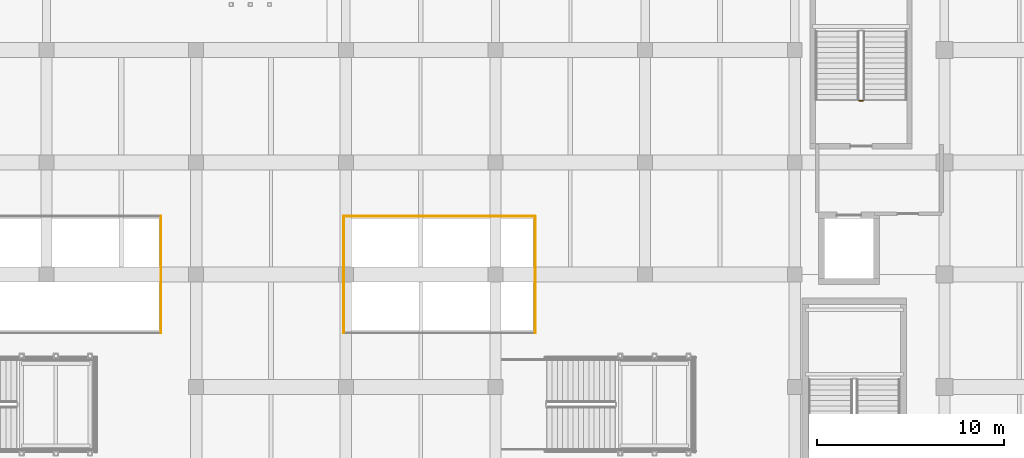
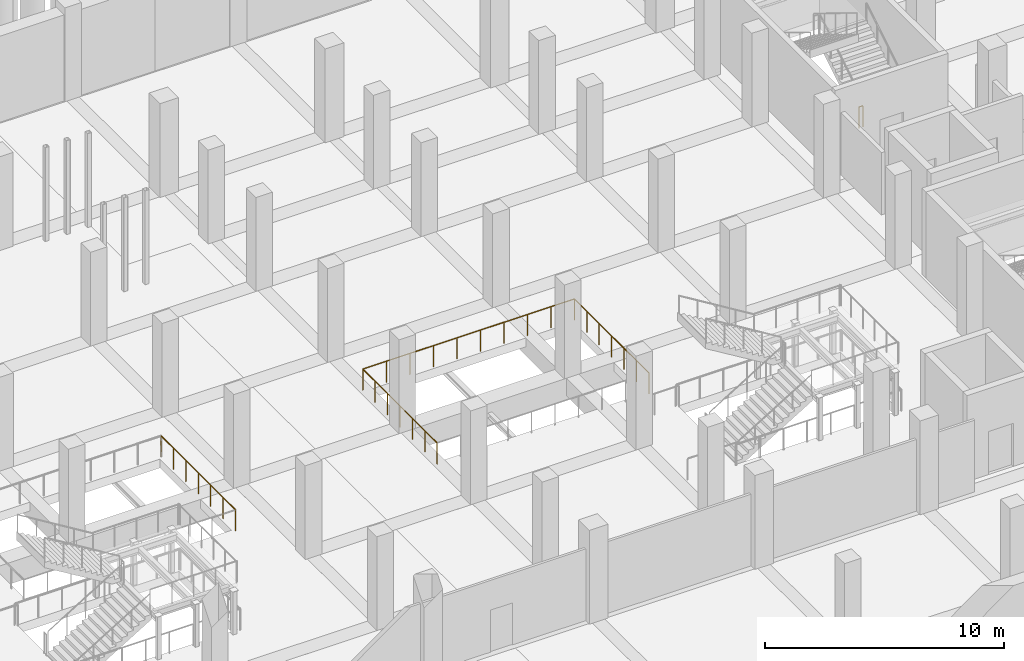
# One storey, part 33 of 36: 5 railings.
"""IFC4 building model written with IfcOpenShell, lengths in metres."""

from ifc_helpers import new_model, si_unit, direction, frame, origin, origin_2d, place, context, subcontext, project, spatial, circle, extrude, material, type_object, element, save


model = new_model("IFC4")

# Units and contexts
model_context = context("Model", 3, precision=1e-05, world=origin(), true_north=direction((0.0, 1.0)))
body_context = subcontext(model_context, "Body", "Model", "MODEL_VIEW")
ifc_project = project(units=[si_unit("LENGTHUNIT", "METRE"), si_unit("AREAUNIT", "SQUARE_METRE"), si_unit("VOLUMEUNIT", "CUBIC_METRE"), si_unit("PLANEANGLEUNIT", "RADIAN"), si_unit("MASSUNIT", "GRAM", prefix="KILO")], contexts=[model_context])

# Site, building, storey
site_placement = place(None, origin())
site = spatial("IfcSite", under=ifc_project, at=site_placement, CompositionType="ELEMENT")
building_placement = place(site_placement, origin())
building = spatial("IfcBuilding", under=site, at=building_placement, Name="Verrall Gate Interchange", CompositionType="ELEMENT")
storey_placement = place(building_placement, frame((0.0, 0.0, -4.800048828125)))
storey = spatial("IfcBuildingStorey", under=building, at=storey_placement, Name="B1", CompositionType="ELEMENT", Elevation=-4.800048828125)

# Railings
ifc_material = material(Name="Brushed Stainless-Steel Guardrail and Handrail System", Category="steel")
railing_type = type_object("IfcRailingType", Name="GR-02 Interior Atrium and Stair Guardrail 1100", PredefinedType="GUARDRAIL", material=ifc_material)
railing_1_placement = place(storey_placement, frame((103.64990234375, 37.300048828125, 0.0)))
element("IfcRailing", 1, at=railing_1_placement, inside=storey, type_object=railing_type, Name="B1 ST-07 stair guard 4", PredefinedType="GUARDRAIL", context=body_context, shape_type="SweptSolid", body=[
    extrude(circle(Radius=0.02392578125, at=origin_2d()), frame((0.0, 0.0, 1.076171875), z_axis=(-1.0, 0.0, 0.0), x_axis=(0.0, -1.0, 0.0)), (0.0, 0.0, 1.0), 0.199951171875),
    extrude(circle(Radius=0.02099609375, at=origin_2d()), origin(), (0.0, 0.0, 1.0), 1.052001953125),
    extrude(circle(Radius=0.02099609375, at=origin_2d()), frame((-0.199951171875, 0.0, 0.0)), (0.0, 0.0, 1.0), 1.052001953125),
])
for number, where, name in (
    (2, (66.1201171875, 24.8798828125, 0.0), "B1 ESC-W Perimeter Guardrail 18"),
    (3, (86.1201171875, 24.8798828125, 0.0), "B1 ESC-E Perimeter Guardrail 22"),
):
    element("IfcRailing", number, at=place(storey_placement, frame(where)), inside=storey, type_object=railing_type, Name=name, PredefinedType="GUARDRAIL", context=body_context, shape_type="SweptSolid", body=[
        extrude(circle(Radius=0.02392578125, at=origin_2d()), frame((0.0, 0.0, 1.076171875), z_axis=(0.0, 1.0, 0.0), x_axis=(-1.0, 0.0, 0.0)), (0.0, 0.0, 1.0), 6.240234375),
        extrude(circle(Radius=0.02099609375, at=origin_2d()), origin(), (0.0, 0.0, 1.0), 1.052001953125),
        extrude(circle(Radius=0.02099609375, at=origin_2d()), frame((0.0, 1.0400390625, 0.0)), (0.0, 0.0, 1.0), 1.052001953125),
        extrude(circle(Radius=0.02099609375, at=origin_2d()), frame((0.0, 2.080078125, 0.0)), (0.0, 0.0, 1.0), 1.052001953125),
        extrude(circle(Radius=0.02099609375, at=origin_2d()), frame((0.0, 3.1201171875, 0.0)), (0.0, 0.0, 1.0), 1.052001953125),
        extrude(circle(Radius=0.02099609375, at=origin_2d()), frame((0.0, 4.16015625, 0.0)), (0.0, 0.0, 1.0), 1.052001953125),
        extrude(circle(Radius=0.02099609375, at=origin_2d()), frame((0.0, 5.2001953125, 0.0)), (0.0, 0.0, 1.0), 1.052001953125),
        extrude(circle(Radius=0.02099609375, at=origin_2d()), frame((0.0, 6.240234375, 0.0)), (0.0, 0.0, 1.0), 1.052001953125),
    ])
railing_2_placement = place(storey_placement, frame((86.1201171875, 31.1201171875, 0.0)))
element("IfcRailing", 4, at=railing_2_placement, inside=storey, type_object=railing_type, Name="B1 ESC-E Perimeter Guardrail 23", PredefinedType="GUARDRAIL", context=body_context, shape_type="SweptSolid", body=[
    extrude(circle(Radius=0.02392578125, at=origin_2d()), frame((0.0, 0.0, 1.076171875), z_axis=(-1.0, 0.0, 0.0), x_axis=(0.0, -1.0, 0.0)), (0.0, 0.0, 1.0), 10.240234375),
    extrude(circle(Radius=0.02099609375, at=origin_2d()), origin(), (0.0, 0.0, 1.0), 1.052001953125),
    extrude(circle(Radius=0.02099609375, at=origin_2d()), frame((-1.1376953125, 0.0, 0.0)), (0.0, 0.0, 1.0), 1.052001953125),
    extrude(circle(Radius=0.02099609375, at=origin_2d()), frame((-2.275634765625, 0.0, 0.0)), (0.0, 0.0, 1.0), 1.052001953125),
    extrude(circle(Radius=0.02099609375, at=origin_2d()), frame((-3.413330078125, 0.0, 0.0)), (0.0, 0.0, 1.0), 1.052001953125),
    extrude(circle(Radius=0.02099609375, at=origin_2d()), frame((-4.55126953125, 0.0, 0.0)), (0.0, 0.0, 1.0), 1.052001953125),
    extrude(circle(Radius=0.02099609375, at=origin_2d()), frame((-5.68896484375, 0.0, 0.0)), (0.0, 0.0, 1.0), 1.052001953125),
    extrude(circle(Radius=0.02099609375, at=origin_2d()), frame((-6.826904296875, 0.0, 0.0)), (0.0, 0.0, 1.0), 1.052001953125),
    extrude(circle(Radius=0.02099609375, at=origin_2d()), frame((-7.964599609375, 0.0, 0.0)), (0.0, 0.0, 1.0), 1.052001953125),
    extrude(circle(Radius=0.02099609375, at=origin_2d()), frame((-9.1025390625, 0.0, 0.0)), (0.0, 0.0, 1.0), 1.052001953125),
    extrude(circle(Radius=0.02099609375, at=origin_2d()), frame((-10.240234375, 0.0, 0.0)), (0.0, 0.0, 1.0), 1.052001953125),
])
railing_3_placement = place(storey_placement, frame((75.8798828125, 31.1201171875, 0.0)))
element("IfcRailing", 5, at=railing_3_placement, inside=storey, type_object=railing_type, Name="B1 ESC-E Perimeter Guardrail 24", PredefinedType="GUARDRAIL", context=body_context, shape_type="SweptSolid", body=[
    extrude(circle(Radius=0.02392578125, at=origin_2d()), frame((0.0, 0.0, 1.076171875), z_axis=(0.0, -1.0, 0.0), x_axis=(1.0, 0.0, 0.0)), (0.0, 0.0, 1.0), 6.240234375),
    extrude(circle(Radius=0.02099609375, at=origin_2d()), origin(), (0.0, 0.0, 1.0), 1.052001953125),
    extrude(circle(Radius=0.02099609375, at=origin_2d()), frame((0.0, -1.0400390625, 0.0)), (0.0, 0.0, 1.0), 1.052001953125),
    extrude(circle(Radius=0.02099609375, at=origin_2d()), frame((0.0, -2.080078125, 0.0)), (0.0, 0.0, 1.0), 1.052001953125),
    extrude(circle(Radius=0.02099609375, at=origin_2d()), frame((0.0, -3.1201171875, 0.0)), (0.0, 0.0, 1.0), 1.052001953125),
    extrude(circle(Radius=0.02099609375, at=origin_2d()), frame((0.0, -4.16015625, 0.0)), (0.0, 0.0, 1.0), 1.052001953125),
    extrude(circle(Radius=0.02099609375, at=origin_2d()), frame((0.0, -5.2001953125, 0.0)), (0.0, 0.0, 1.0), 1.052001953125),
    extrude(circle(Radius=0.02099609375, at=origin_2d()), frame((0.0, -6.240234375, 0.0)), (0.0, 0.0, 1.0), 1.052001953125),
])

save(model, "model.ifc")
